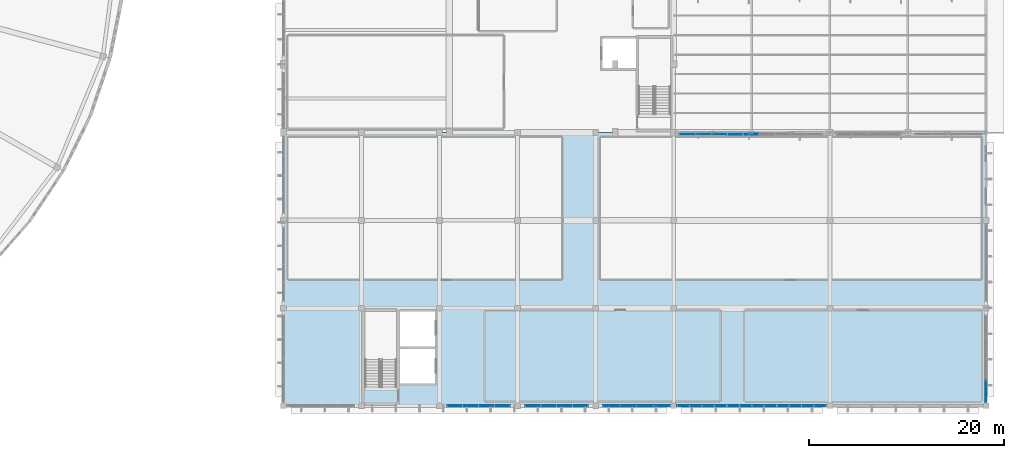
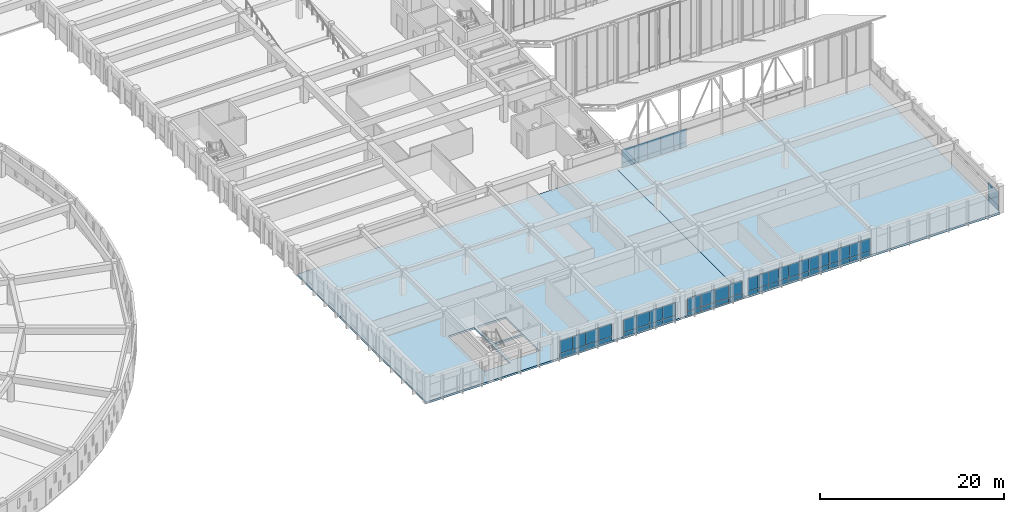
# One storey, part 77 of 155: 60 plates, 2 slabs, 9 elements without a shape of their own.
"""IFC4 building model written with IfcOpenShell, lengths in metres."""

from ifc_helpers import new_model, si_unit, direction, frame, origin, origin_2d, place, context, subcontext, project, spatial, polyline, rectangle, outline, extrude, material, layer, layer_set, type_object, element, aggregate, save


model = new_model("IFC4")

# Units and contexts
model_context = context("Model", 3, precision=1e-05, world=origin(), true_north=direction((0.0, 1.0)))
body_context = subcontext(model_context, "Body", "Model", "MODEL_VIEW")
ifc_project = project(units=[si_unit("LENGTHUNIT", "METRE"), si_unit("AREAUNIT", "SQUARE_METRE"), si_unit("VOLUMEUNIT", "CUBIC_METRE"), si_unit("PLANEANGLEUNIT", "RADIAN"), si_unit("MASSUNIT", "GRAM", prefix="KILO")], contexts=[model_context])

# Site, building, storey
site_placement = place(None, origin())
site = spatial("IfcSite", under=ifc_project, at=site_placement, CompositionType="ELEMENT")
building_placement = place(site_placement, origin())
building = spatial("IfcBuilding", under=site, at=building_placement, Name="Larkveld Mobility Hub", CompositionType="ELEMENT")
storey_placement = place(building_placement, frame((0.0, 0.0, 8.39990234375)))
storey = spatial("IfcBuildingStorey", under=building, at=storey_placement, Name="L02", CompositionType="ELEMENT", Elevation=8.39990234375)

# Curtain wall, plates
ifc_material_1 = material(Name="Anodised aluminium 6063-T6", Category="aluminium")
curtain_wall_type_1 = type_object("IfcCurtainWallType", Name="CW-SYS-10", PredefinedType="NOTDEFINED", material=ifc_material_1)
curtain_wall_1_placement = place(storey_placement, origin())
curtain_wall_1 = element("IfcCurtainWall", 1, at=curtain_wall_1_placement, inside=storey, type_object=curtain_wall_type_1, Name="Sawtooth South-Light Clerestory B1 CW-010", PredefinedType="NOTDEFINED")
ifc_material_2 = material(Name="Low-E laminated solar-control double glazing", Category="glass")
ifc_layer_1 = layer(ifc_material_2, 0.028076171875, Name="Low-E laminated solar-control double glazing", Category="glass")
ifc_layer_set_1 = layer_set([ifc_layer_1], Name="Low-E laminated solar-control double glazing")
plate_type_1 = type_object("IfcPlateType", Name="CW-PNL-GL01", PredefinedType="CURTAIN_PANEL", material=ifc_layer_set_1)
plate_1_placement = place(storey_placement, frame((158.298095703125, 27.844970703125, 0.60205078125), z_axis=(0.0, 0.0, 1.0), x_axis=(1.0, 0.0, 0.0)))
plate_1 = element("IfcPlate", 2, at=plate_1_placement, type_object=plate_type_1, Name="CW10 panel 1", PredefinedType="CURTAIN_PANEL", context=body_context, shape_type="SweptSolid", body=[
    extrude(rectangle(XDim=1.60107421875, YDim=0.028076171875, at=origin_2d()), origin(), (0.0, 0.0, 1.0), 1.77587890625),
])
plate_2_placement = place(storey_placement, frame((159.9189453125, 27.844970703125, 0.60205078125), z_axis=(0.0, 0.0, 1.0), x_axis=(1.0, 0.0, 0.0)))
plate_2 = element("IfcPlate", 3, at=plate_2_placement, type_object=plate_type_1, Name="CW10 panel 2", PredefinedType="CURTAIN_PANEL", context=body_context, shape_type="SweptSolid", body=[
    extrude(rectangle(XDim=1.62109375, YDim=0.028076171875, at=origin_2d()), origin(), (0.0, 0.0, 1.0), 1.77587890625),
])

curtain_wall_type_2 = type_object("IfcCurtainWallType", Name="CW-SYS-07", PredefinedType="NOTDEFINED", material=ifc_material_1)
curtain_wall_2_placement = place(storey_placement, origin())
curtain_wall_2 = element("IfcCurtainWall", 4, at=curtain_wall_2_placement, inside=storey, type_object=curtain_wall_type_2, Name="Service Centre South Curtain Wall L02 CW-103", PredefinedType="NOTDEFINED")
plate_3_placement = place(storey_placement, frame((137.56494140625, 0.0, 0.57763671875), z_axis=(0.0, 0.0, 1.0), x_axis=(1.0, 0.0, 0.0)))
plate_3 = element("IfcPlate", 5, at=plate_3_placement, type_object=plate_type_1, Name="CW07 panel 1", PredefinedType="CURTAIN_PANEL", context=body_context, shape_type="SweptSolid", body=[
    extrude(rectangle(XDim=1.60009765625, YDim=0.028076171875, at=origin_2d()), origin(), (0.0, 0.0, 1.0), 1.700927734375),
])
plate_4_placement = place(storey_placement, frame((139.18505859375, 0.0, 0.57763671875), z_axis=(0.0, 0.0, 1.0), x_axis=(1.0, 0.0, 0.0)))
plate_4 = element("IfcPlate", 6, at=plate_4_placement, type_object=plate_type_1, Name="CW07 panel 2", PredefinedType="CURTAIN_PANEL", context=body_context, shape_type="SweptSolid", body=[
    extrude(rectangle(XDim=1.6201171875, YDim=0.028076171875, at=origin_2d()), origin(), (0.0, 0.0, 1.0), 1.700927734375),
])
plate_5_placement = place(storey_placement, frame((140.81494140625, 0.0, 0.57763671875), z_axis=(0.0, 0.0, 1.0), x_axis=(1.0, 0.0, 0.0)))
plate_5 = element("IfcPlate", 7, at=plate_5_placement, type_object=plate_type_1, Name="CW07 panel 3", PredefinedType="CURTAIN_PANEL", context=body_context, shape_type="SweptSolid", body=[
    extrude(rectangle(XDim=1.6201171875, YDim=0.028076171875, at=origin_2d()), origin(), (0.0, 0.0, 1.0), 1.700927734375),
])
plate_6_placement = place(storey_placement, frame((142.43505859375, 0.0, 0.57763671875), z_axis=(0.0, 0.0, 1.0), x_axis=(1.0, 0.0, 0.0)))
plate_6 = element("IfcPlate", 8, at=plate_6_placement, type_object=plate_type_1, Name="CW07 panel 4", PredefinedType="CURTAIN_PANEL", context=body_context, shape_type="SweptSolid", body=[
    extrude(rectangle(XDim=1.60009765625, YDim=0.028076171875, at=origin_2d()), origin(), (0.0, 0.0, 1.0), 1.700927734375),
])

curtain_wall_3_placement = place(storey_placement, origin())
curtain_wall_3 = element("IfcCurtainWall", 9, at=curtain_wall_3_placement, inside=storey, type_object=curtain_wall_type_1, Name="Service Wing South Glazing L02 CW-106", PredefinedType="NOTDEFINED")
plate_7_placement = place(storey_placement, frame((158.097900390625, 0.0, 0.57763671875), z_axis=(0.0, 0.0, 1.0), x_axis=(1.0, 0.0, 0.0)))
plate_7 = element("IfcPlate", 10, at=plate_7_placement, type_object=plate_type_1, Name="CW10 panel 1", PredefinedType="CURTAIN_PANEL", context=body_context, shape_type="SweptSolid", body=[
    extrude(rectangle(XDim=1.2451171875, YDim=0.028076171875, at=origin_2d()), origin(), (0.0, 0.0, 1.0), 1.700927734375),
])
plate_8_placement = place(storey_placement, frame((159.363037109375, 0.0, 0.57763671875), z_axis=(0.0, 0.0, 1.0), x_axis=(1.0, 0.0, 0.0)))
plate_8 = element("IfcPlate", 11, at=plate_8_placement, type_object=plate_type_1, Name="CW10 panel 2", PredefinedType="CURTAIN_PANEL", context=body_context, shape_type="SweptSolid", body=[
    extrude(rectangle(XDim=1.264892578125, YDim=0.028076171875, at=origin_2d()), origin(), (0.0, 0.0, 1.0), 1.700927734375),
])
plate_9_placement = place(storey_placement, frame((160.636962890625, 0.0, 0.57763671875), z_axis=(0.0, 0.0, 1.0), x_axis=(1.0, 0.0, 0.0)))
plate_9 = element("IfcPlate", 12, at=plate_9_placement, type_object=plate_type_1, Name="CW10 panel 3", PredefinedType="CURTAIN_PANEL", context=body_context, shape_type="SweptSolid", body=[
    extrude(rectangle(XDim=1.264892578125, YDim=0.028076171875, at=origin_2d()), origin(), (0.0, 0.0, 1.0), 1.700927734375),
])
plate_10_placement = place(storey_placement, frame((161.902099609375, 0.0, 0.57763671875), z_axis=(0.0, 0.0, 1.0), x_axis=(1.0, 0.0, 0.0)))
plate_10 = element("IfcPlate", 13, at=plate_10_placement, type_object=plate_type_1, Name="CW10 panel 4", PredefinedType="CURTAIN_PANEL", context=body_context, shape_type="SweptSolid", body=[
    extrude(rectangle(XDim=1.2451171875, YDim=0.028076171875, at=origin_2d()), origin(), (0.0, 0.0, 1.0), 1.700927734375),
])

curtain_wall_type_3 = type_object("IfcCurtainWallType", Name="CW-SYS-08", PredefinedType="NOTDEFINED", material=ifc_material_1)
curtain_wall_4_placement = place(storey_placement, origin())
curtain_wall_4 = element("IfcCurtainWall", 14, at=curtain_wall_4_placement, inside=storey, type_object=curtain_wall_type_3, Name="Service Centre South Curtain Wall L02 CW-104", PredefinedType="NOTDEFINED")
ifc_material_3 = material(Name="Acoustic solar-control laminated double glazing", Category="glass")
ifc_layer_2 = layer(ifc_material_3, 0.031982421875, Name="Acoustic solar-control laminated double glazing", Category="glass")
ifc_layer_set_2 = layer_set([ifc_layer_2], Name="Acoustic solar-control laminated double glazing")
plate_type_2 = type_object("IfcPlateType", Name="CW-PNL-GL02", PredefinedType="CURTAIN_PANEL", material=ifc_layer_set_2)
plate_11_placement = place(storey_placement, frame((145.614013671875, 0.0, 0.57763671875), z_axis=(0.0, 0.0, 1.0), x_axis=(1.0, 0.0, 0.0)))
plate_11 = element("IfcPlate", 15, at=plate_11_placement, type_object=plate_type_2, Name="CW08 panel 1", PredefinedType="CURTAIN_PANEL", context=body_context, shape_type="SweptSolid", body=[
    extrude(rectangle(XDim=1.697998046875, YDim=0.031982421875, at=origin_2d()), origin(), (0.0, 0.0, 1.0), 1.700927734375),
])
plate_12_placement = place(storey_placement, frame((147.33203125, 0.0, 0.57763671875), z_axis=(0.0, 0.0, 1.0), x_axis=(1.0, 0.0, 0.0)))
plate_12 = element("IfcPlate", 16, at=plate_12_placement, type_object=plate_type_2, Name="CW08 panel 2", PredefinedType="CURTAIN_PANEL", context=body_context, shape_type="SweptSolid", body=[
    extrude(rectangle(XDim=1.718017578125, YDim=0.031982421875, at=origin_2d()), origin(), (0.0, 0.0, 1.0), 1.700927734375),
])
plate_13_placement = place(storey_placement, frame((149.05908203125, 0.0, 0.57763671875), z_axis=(0.0, 0.0, 1.0), x_axis=(1.0, 0.0, 0.0)))
plate_13 = element("IfcPlate", 17, at=plate_13_placement, type_object=plate_type_2, Name="CW08 panel 3", PredefinedType="CURTAIN_PANEL", context=body_context, shape_type="SweptSolid", body=[
    extrude(rectangle(XDim=1.718017578125, YDim=0.031982421875, at=origin_2d()), origin(), (0.0, 0.0, 1.0), 1.700927734375),
])
plate_14_placement = place(storey_placement, frame((150.77587890625, 0.0, 0.57763671875), z_axis=(0.0, 0.0, 1.0), x_axis=(1.0, 0.0, 0.0)))
plate_14 = element("IfcPlate", 18, at=plate_14_placement, type_object=plate_type_2, Name="CW08 panel 4", PredefinedType="CURTAIN_PANEL", context=body_context, shape_type="SweptSolid", body=[
    extrude(rectangle(XDim=1.697998046875, YDim=0.031982421875, at=origin_2d()), origin(), (0.0, 0.0, 1.0), 1.700927734375),
])

curtain_wall_type_4 = type_object("IfcCurtainWallType", Name="CW-SYS-11", PredefinedType="NOTDEFINED", material=ifc_material_1)
curtain_wall_5_placement = place(storey_placement, origin())
curtain_wall_5 = element("IfcCurtainWall", 19, at=curtain_wall_5_placement, inside=storey, type_object=curtain_wall_type_4, Name="Service Wing South Glazing L02 CW-107", PredefinedType="NOTDEFINED")
plate_15_placement = place(storey_placement, frame((163.197021484375, 0.0, 0.57763671875), z_axis=(0.0, 0.0, 1.0), x_axis=(1.0, 0.0, 0.0)))
plate_15 = element("IfcPlate", 20, at=plate_15_placement, type_object=plate_type_2, Name="CW11 panel 1", PredefinedType="CURTAIN_PANEL", context=body_context, shape_type="SweptSolid", body=[
    extrude(rectangle(XDim=1.2451171875, YDim=0.031982421875, at=origin_2d()), origin(), (0.0, 0.0, 1.0), 1.700927734375),
])
plate_16_placement = place(storey_placement, frame((164.462890625, 0.0, 0.57763671875), z_axis=(0.0, 0.0, 1.0), x_axis=(1.0, 0.0, 0.0)))
plate_16 = element("IfcPlate", 21, at=plate_16_placement, type_object=plate_type_2, Name="CW11 panel 2", PredefinedType="CURTAIN_PANEL", context=body_context, shape_type="SweptSolid", body=[
    extrude(rectangle(XDim=1.264892578125, YDim=0.031982421875, at=origin_2d()), origin(), (0.0, 0.0, 1.0), 1.700927734375),
])
plate_17_placement = place(storey_placement, frame((165.738037109375, 0.0, 0.57763671875), z_axis=(0.0, 0.0, 1.0), x_axis=(1.0, 0.0, 0.0)))
plate_17 = element("IfcPlate", 22, at=plate_17_placement, type_object=plate_type_2, Name="CW11 panel 3", PredefinedType="CURTAIN_PANEL", context=body_context, shape_type="SweptSolid", body=[
    extrude(rectangle(XDim=1.264892578125, YDim=0.031982421875, at=origin_2d()), origin(), (0.0, 0.0, 1.0), 1.700927734375),
])
plate_18_placement = place(storey_placement, frame((167.001953125, 0.0, 0.57763671875), z_axis=(0.0, 0.0, 1.0), x_axis=(1.0, 0.0, 0.0)))
plate_18 = element("IfcPlate", 23, at=plate_18_placement, type_object=plate_type_2, Name="CW11 panel 4", PredefinedType="CURTAIN_PANEL", context=body_context, shape_type="SweptSolid", body=[
    extrude(rectangle(XDim=1.2451171875, YDim=0.031982421875, at=origin_2d()), origin(), (0.0, 0.0, 1.0), 1.700927734375),
])

curtain_wall_type_5 = type_object("IfcCurtainWallType", Name="CW-SYS-09", PredefinedType="NOTDEFINED", material=ifc_material_1)
curtain_wall_6_placement = place(storey_placement, origin())
curtain_wall_6 = element("IfcCurtainWall", 24, at=curtain_wall_6_placement, inside=storey, type_object=curtain_wall_type_5, Name="Sawtooth South-Light Clerestory B1 CW-009", PredefinedType="NOTDEFINED")
ifc_material_4 = material(Name="Tinted safety double glazing", Category="glass")
ifc_layer_3 = layer(ifc_material_4, 0.035888671875, Name="Tinted safety double glazing", Category="glass")
ifc_layer_set_3 = layer_set([ifc_layer_3], Name="Tinted safety double glazing")
plate_type_3 = type_object("IfcPlateType", Name="CW-PNL-GL03", PredefinedType="CURTAIN_PANEL", material=ifc_layer_set_3)
plate_19_placement = place(storey_placement, frame((153.406005859375, 27.844970703125, 0.60205078125), z_axis=(0.0, 0.0, 1.0), x_axis=(1.0, 0.0, 0.0)))
plate_19 = element("IfcPlate", 25, at=plate_19_placement, type_object=plate_type_3, Name="CW09 panel 1", PredefinedType="CURTAIN_PANEL", context=body_context, shape_type="SweptSolid", body=[
    extrude(rectangle(XDim=1.60107421875, YDim=0.035888671875, at=origin_2d()), origin(), (0.0, 0.0, 1.0), 1.77587890625),
])
plate_20_placement = place(storey_placement, frame((155.02587890625, 27.844970703125, 0.60205078125), z_axis=(0.0, 0.0, 1.0), x_axis=(1.0, 0.0, 0.0)))
plate_20 = element("IfcPlate", 26, at=plate_20_placement, type_object=plate_type_3, Name="CW09 panel 2", PredefinedType="CURTAIN_PANEL", context=body_context, shape_type="SweptSolid", body=[
    extrude(rectangle(XDim=1.62109375, YDim=0.035888671875, at=origin_2d()), origin(), (0.0, 0.0, 1.0), 1.77587890625),
])
plate_21_placement = place(storey_placement, frame((156.64697265625, 27.844970703125, 0.60205078125), z_axis=(0.0, 0.0, 1.0), x_axis=(1.0, 0.0, 0.0)))
plate_21 = element("IfcPlate", 27, at=plate_21_placement, type_object=plate_type_3, Name="CW09 panel 3", PredefinedType="CURTAIN_PANEL", context=body_context, shape_type="SweptSolid", body=[
    extrude(rectangle(XDim=1.60107421875, YDim=0.035888671875, at=origin_2d()), origin(), (0.0, 0.0, 1.0), 1.77587890625),
])

curtain_wall_type_6 = type_object("IfcCurtainWallType", Name="CW-SYS-06", PredefinedType="NOTDEFINED", material=ifc_material_1)
curtain_wall_7_placement = place(storey_placement, origin())
curtain_wall_7 = element("IfcCurtainWall", 28, at=curtain_wall_7_placement, inside=storey, type_object=curtain_wall_type_6, Name="Service Centre South Curtain Wall L02 CW-102", PredefinedType="NOTDEFINED")
plate_22_placement = place(storey_placement, frame((129.56494140625, 0.0, 0.57763671875), z_axis=(0.0, 0.0, 1.0), x_axis=(1.0, 0.0, 0.0)))
plate_22 = element("IfcPlate", 29, at=plate_22_placement, type_object=plate_type_3, Name="CW06 panel 1", PredefinedType="CURTAIN_PANEL", context=body_context, shape_type="SweptSolid", body=[
    extrude(rectangle(XDim=1.60009765625, YDim=0.035888671875, at=origin_2d()), origin(), (0.0, 0.0, 1.0), 1.700927734375),
])
plate_23_placement = place(storey_placement, frame((131.18505859375, 0.0, 0.57763671875), z_axis=(0.0, 0.0, 1.0), x_axis=(1.0, 0.0, 0.0)))
plate_23 = element("IfcPlate", 30, at=plate_23_placement, type_object=plate_type_3, Name="CW06 panel 2", PredefinedType="CURTAIN_PANEL", context=body_context, shape_type="SweptSolid", body=[
    extrude(rectangle(XDim=1.6201171875, YDim=0.035888671875, at=origin_2d()), origin(), (0.0, 0.0, 1.0), 1.700927734375),
])
plate_24_placement = place(storey_placement, frame((132.81494140625, 0.0, 0.57763671875), z_axis=(0.0, 0.0, 1.0), x_axis=(1.0, 0.0, 0.0)))
plate_24 = element("IfcPlate", 31, at=plate_24_placement, type_object=plate_type_3, Name="CW06 panel 3", PredefinedType="CURTAIN_PANEL", context=body_context, shape_type="SweptSolid", body=[
    extrude(rectangle(XDim=1.6201171875, YDim=0.035888671875, at=origin_2d()), origin(), (0.0, 0.0, 1.0), 1.700927734375),
])
plate_25_placement = place(storey_placement, frame((134.43505859375, 0.0, 0.57763671875), z_axis=(0.0, 0.0, 1.0), x_axis=(1.0, 0.0, 0.0)))
plate_25 = element("IfcPlate", 32, at=plate_25_placement, type_object=plate_type_3, Name="CW06 panel 4", PredefinedType="CURTAIN_PANEL", context=body_context, shape_type="SweptSolid", body=[
    extrude(rectangle(XDim=1.60009765625, YDim=0.035888671875, at=origin_2d()), origin(), (0.0, 0.0, 1.0), 1.700927734375),
])

curtain_wall_8_placement = place(storey_placement, origin())
curtain_wall_8 = element("IfcCurtainWall", 33, at=curtain_wall_8_placement, inside=storey, type_object=curtain_wall_type_5, Name="Service Wing South Glazing L02 CW-105", PredefinedType="NOTDEFINED")
plate_26_placement = place(storey_placement, frame((152.998046875, 0.0, 0.57763671875), z_axis=(0.0, 0.0, 1.0), x_axis=(1.0, 0.0, 0.0)))
plate_26 = element("IfcPlate", 34, at=plate_26_placement, type_object=plate_type_3, Name="CW09 panel 1", PredefinedType="CURTAIN_PANEL", context=body_context, shape_type="SweptSolid", body=[
    extrude(rectangle(XDim=1.2451171875, YDim=0.035888671875, at=origin_2d()), origin(), (0.0, 0.0, 1.0), 1.700927734375),
])
plate_27_placement = place(storey_placement, frame((154.261962890625, 0.0, 0.57763671875), z_axis=(0.0, 0.0, 1.0), x_axis=(1.0, 0.0, 0.0)))
plate_27 = element("IfcPlate", 35, at=plate_27_placement, type_object=plate_type_3, Name="CW09 panel 2", PredefinedType="CURTAIN_PANEL", context=body_context, shape_type="SweptSolid", body=[
    extrude(rectangle(XDim=1.264892578125, YDim=0.035888671875, at=origin_2d()), origin(), (0.0, 0.0, 1.0), 1.700927734375),
])
plate_28_placement = place(storey_placement, frame((155.537109375, 0.0, 0.57763671875), z_axis=(0.0, 0.0, 1.0), x_axis=(1.0, 0.0, 0.0)))
plate_28 = element("IfcPlate", 36, at=plate_28_placement, type_object=plate_type_3, Name="CW09 panel 3", PredefinedType="CURTAIN_PANEL", context=body_context, shape_type="SweptSolid", body=[
    extrude(rectangle(XDim=1.264892578125, YDim=0.035888671875, at=origin_2d()), origin(), (0.0, 0.0, 1.0), 1.700927734375),
])
plate_29_placement = place(storey_placement, frame((156.802978515625, 0.0, 0.57763671875), z_axis=(0.0, 0.0, 1.0), x_axis=(1.0, 0.0, 0.0)))
plate_29 = element("IfcPlate", 37, at=plate_29_placement, type_object=plate_type_3, Name="CW09 panel 4", PredefinedType="CURTAIN_PANEL", context=body_context, shape_type="SweptSolid", body=[
    extrude(rectangle(XDim=1.2451171875, YDim=0.035888671875, at=origin_2d()), origin(), (0.0, 0.0, 1.0), 1.700927734375),
])

# Curtain wall, plate
curtain_wall_type_7 = type_object("IfcCurtainWallType", Name="CW-SYS-12", PredefinedType="NOTDEFINED", material=ifc_material_1)
curtain_wall_9_placement = place(storey_placement, origin())
curtain_wall_9 = element("IfcCurtainWall", 38, at=curtain_wall_9_placement, inside=storey, type_object=curtain_wall_type_7, Name="Service Wing East Curtain Wall L02 CW-108", PredefinedType="NOTDEFINED")
plate_30_placement = place(storey_placement, frame((184.0, 1.47412109375, 0.614013671875), z_axis=(0.0, 0.0, 1.0), x_axis=(0.0, 1.0, 0.0)))
plate_30 = element("IfcPlate", 39, at=plate_30_placement, type_object=plate_type_3, Name="CW12 panel 1", PredefinedType="CURTAIN_PANEL", context=body_context, shape_type="SweptSolid", body=[
    extrude(rectangle(XDim=2.197021484375, YDim=0.035888671875, at=origin_2d()), origin(), (0.0, 0.0, 1.0), 1.81396484375),
])

# Plate
ifc_material_5 = material(Name="Insulated fluoropolymer aluminium spandrel", Category="aluminium")
ifc_layer_4 = layer(ifc_material_5, 0.06494140625, Name="Insulated fluoropolymer aluminium spandrel", Category="aluminium")
ifc_layer_set_4 = layer_set([ifc_layer_4], Name="Insulated fluoropolymer aluminium spandrel")
plate_type_4 = type_object("IfcPlateType", Name="CW-PNL-SP01", PredefinedType="CURTAIN_PANEL", material=ifc_layer_set_4)
plate_31_placement = place(storey_placement, frame((153.406005859375, 27.844970703125, 0.0), z_axis=(0.0, 0.0, 1.0), x_axis=(1.0, 0.0, 0.0)))
plate_31 = element("IfcPlate", 40, at=plate_31_placement, type_object=plate_type_4, Name="CW09 spandrel 1", PredefinedType="CURTAIN_PANEL", context=body_context, shape_type="SweptSolid", body=[
    extrude(rectangle(XDim=1.60107421875, YDim=0.06494140625, at=origin_2d()), origin(), (0.0, 0.0, 1.0), 0.590087890625),
])

plate_32_placement = place(storey_placement, frame((155.02587890625, 27.844970703125, 0.0), z_axis=(0.0, 0.0, 1.0), x_axis=(1.0, 0.0, 0.0)))
plate_32 = element("IfcPlate", 41, at=plate_32_placement, type_object=plate_type_4, Name="CW09 spandrel 2", PredefinedType="CURTAIN_PANEL", context=body_context, shape_type="SweptSolid", body=[
    extrude(rectangle(XDim=1.62109375, YDim=0.06494140625, at=origin_2d()), origin(), (0.0, 0.0, 1.0), 0.590087890625),
])

plate_33_placement = place(storey_placement, frame((156.64697265625, 27.844970703125, 0.0), z_axis=(0.0, 0.0, 1.0), x_axis=(1.0, 0.0, 0.0)))
plate_33 = element("IfcPlate", 42, at=plate_33_placement, type_object=plate_type_4, Name="CW09 spandrel 3", PredefinedType="CURTAIN_PANEL", context=body_context, shape_type="SweptSolid", body=[
    extrude(rectangle(XDim=1.60107421875, YDim=0.06494140625, at=origin_2d()), origin(), (0.0, 0.0, 1.0), 0.590087890625),
])

aggregate(curtain_wall_6, [plate_31, plate_19, plate_32, plate_20, plate_33, plate_21])

plate_34_placement = place(storey_placement, frame((137.56494140625, 0.0, 0.000732421875), z_axis=(0.0, 0.0, 1.0), x_axis=(1.0, 0.0, 0.0)))
plate_34 = element("IfcPlate", 43, at=plate_34_placement, type_object=plate_type_4, Name="CW07 spandrel 1", PredefinedType="CURTAIN_PANEL", context=body_context, shape_type="SweptSolid", body=[
    extrude(rectangle(XDim=1.60009765625, YDim=0.06494140625, at=origin_2d()), origin(), (0.0, 0.0, 1.0), 0.56494140625),
])

plate_35_placement = place(storey_placement, frame((139.18505859375, 0.0, 0.000732421875), z_axis=(0.0, 0.0, 1.0), x_axis=(1.0, 0.0, 0.0)))
plate_35 = element("IfcPlate", 44, at=plate_35_placement, type_object=plate_type_4, Name="CW07 spandrel 2", PredefinedType="CURTAIN_PANEL", context=body_context, shape_type="SweptSolid", body=[
    extrude(rectangle(XDim=1.6201171875, YDim=0.06494140625, at=origin_2d()), origin(), (0.0, 0.0, 1.0), 0.56494140625),
])

plate_36_placement = place(storey_placement, frame((140.81494140625, 0.0, 0.000732421875), z_axis=(0.0, 0.0, 1.0), x_axis=(1.0, 0.0, 0.0)))
plate_36 = element("IfcPlate", 45, at=plate_36_placement, type_object=plate_type_4, Name="CW07 spandrel 3", PredefinedType="CURTAIN_PANEL", context=body_context, shape_type="SweptSolid", body=[
    extrude(rectangle(XDim=1.6201171875, YDim=0.06494140625, at=origin_2d()), origin(), (0.0, 0.0, 1.0), 0.56494140625),
])

plate_37_placement = place(storey_placement, frame((142.43505859375, 0.0, 0.000732421875), z_axis=(0.0, 0.0, 1.0), x_axis=(1.0, 0.0, 0.0)))
plate_37 = element("IfcPlate", 46, at=plate_37_placement, type_object=plate_type_4, Name="CW07 spandrel 4", PredefinedType="CURTAIN_PANEL", context=body_context, shape_type="SweptSolid", body=[
    extrude(rectangle(XDim=1.60009765625, YDim=0.06494140625, at=origin_2d()), origin(), (0.0, 0.0, 1.0), 0.56494140625),
])

aggregate(curtain_wall_2, [plate_34, plate_3, plate_35, plate_4, plate_36, plate_5, plate_37, plate_6])

plate_38_placement = place(storey_placement, frame((152.998046875, 0.0, 0.000732421875), z_axis=(0.0, 0.0, 1.0), x_axis=(1.0, 0.0, 0.0)))
plate_38 = element("IfcPlate", 47, at=plate_38_placement, type_object=plate_type_4, Name="CW09 spandrel 1", PredefinedType="CURTAIN_PANEL", context=body_context, shape_type="SweptSolid", body=[
    extrude(rectangle(XDim=1.2451171875, YDim=0.06494140625, at=origin_2d()), origin(), (0.0, 0.0, 1.0), 0.56494140625),
])

plate_39_placement = place(storey_placement, frame((154.261962890625, 0.0, 0.000732421875), z_axis=(0.0, 0.0, 1.0), x_axis=(1.0, 0.0, 0.0)))
plate_39 = element("IfcPlate", 48, at=plate_39_placement, type_object=plate_type_4, Name="CW09 spandrel 2", PredefinedType="CURTAIN_PANEL", context=body_context, shape_type="SweptSolid", body=[
    extrude(rectangle(XDim=1.264892578125, YDim=0.06494140625, at=origin_2d()), origin(), (0.0, 0.0, 1.0), 0.56494140625),
])

plate_40_placement = place(storey_placement, frame((155.537109375, 0.0, 0.000732421875), z_axis=(0.0, 0.0, 1.0), x_axis=(1.0, 0.0, 0.0)))
plate_40 = element("IfcPlate", 49, at=plate_40_placement, type_object=plate_type_4, Name="CW09 spandrel 3", PredefinedType="CURTAIN_PANEL", context=body_context, shape_type="SweptSolid", body=[
    extrude(rectangle(XDim=1.264892578125, YDim=0.06494140625, at=origin_2d()), origin(), (0.0, 0.0, 1.0), 0.56494140625),
])

plate_41_placement = place(storey_placement, frame((156.802978515625, 0.0, 0.000732421875), z_axis=(0.0, 0.0, 1.0), x_axis=(1.0, 0.0, 0.0)))
plate_41 = element("IfcPlate", 50, at=plate_41_placement, type_object=plate_type_4, Name="CW09 spandrel 4", PredefinedType="CURTAIN_PANEL", context=body_context, shape_type="SweptSolid", body=[
    extrude(rectangle(XDim=1.2451171875, YDim=0.06494140625, at=origin_2d()), origin(), (0.0, 0.0, 1.0), 0.56494140625),
])

aggregate(curtain_wall_8, [plate_38, plate_26, plate_39, plate_27, plate_40, plate_28, plate_41, plate_29])

plate_42_placement = place(storey_placement, frame((163.197021484375, 0.0, 0.000732421875), z_axis=(0.0, 0.0, 1.0), x_axis=(1.0, 0.0, 0.0)))
plate_42 = element("IfcPlate", 51, at=plate_42_placement, type_object=plate_type_4, Name="CW11 spandrel 1", PredefinedType="CURTAIN_PANEL", context=body_context, shape_type="SweptSolid", body=[
    extrude(rectangle(XDim=1.2451171875, YDim=0.06494140625, at=origin_2d()), origin(), (0.0, 0.0, 1.0), 0.56494140625),
])

plate_43_placement = place(storey_placement, frame((164.462890625, 0.0, 0.000732421875), z_axis=(0.0, 0.0, 1.0), x_axis=(1.0, 0.0, 0.0)))
plate_43 = element("IfcPlate", 52, at=plate_43_placement, type_object=plate_type_4, Name="CW11 spandrel 2", PredefinedType="CURTAIN_PANEL", context=body_context, shape_type="SweptSolid", body=[
    extrude(rectangle(XDim=1.264892578125, YDim=0.06494140625, at=origin_2d()), origin(), (0.0, 0.0, 1.0), 0.56494140625),
])

plate_44_placement = place(storey_placement, frame((165.738037109375, 0.0, 0.000732421875), z_axis=(0.0, 0.0, 1.0), x_axis=(1.0, 0.0, 0.0)))
plate_44 = element("IfcPlate", 53, at=plate_44_placement, type_object=plate_type_4, Name="CW11 spandrel 3", PredefinedType="CURTAIN_PANEL", context=body_context, shape_type="SweptSolid", body=[
    extrude(rectangle(XDim=1.264892578125, YDim=0.06494140625, at=origin_2d()), origin(), (0.0, 0.0, 1.0), 0.56494140625),
])

plate_45_placement = place(storey_placement, frame((167.001953125, 0.0, 0.000732421875), z_axis=(0.0, 0.0, 1.0), x_axis=(1.0, 0.0, 0.0)))
plate_45 = element("IfcPlate", 54, at=plate_45_placement, type_object=plate_type_4, Name="CW11 spandrel 4", PredefinedType="CURTAIN_PANEL", context=body_context, shape_type="SweptSolid", body=[
    extrude(rectangle(XDim=1.2451171875, YDim=0.06494140625, at=origin_2d()), origin(), (0.0, 0.0, 1.0), 0.56494140625),
])

aggregate(curtain_wall_5, [plate_42, plate_15, plate_43, plate_16, plate_44, plate_17, plate_45, plate_18])

ifc_material_6 = material(Name="Insulated terracotta-toned aluminium spandrel", Category="masonry")
ifc_layer_5 = layer(ifc_material_6, 0.080078125, Name="Insulated terracotta-toned aluminium spandrel", Category="masonry")
ifc_layer_set_5 = layer_set([ifc_layer_5], Name="Insulated terracotta-toned aluminium spandrel")
plate_type_5 = type_object("IfcPlateType", Name="CW-PNL-SP02", PredefinedType="CURTAIN_PANEL", material=ifc_layer_set_5)
plate_46_placement = place(storey_placement, frame((158.298095703125, 27.844970703125, 0.0), z_axis=(0.0, 0.0, 1.0), x_axis=(1.0, 0.0, 0.0)))
plate_46 = element("IfcPlate", 55, at=plate_46_placement, type_object=plate_type_5, Name="CW10 spandrel 1", PredefinedType="CURTAIN_PANEL", context=body_context, shape_type="SweptSolid", body=[
    extrude(rectangle(XDim=1.60107421875, YDim=0.080078125, at=origin_2d()), origin(), (0.0, 0.0, 1.0), 0.590087890625),
])

plate_47_placement = place(storey_placement, frame((159.9189453125, 27.844970703125, 0.0), z_axis=(0.0, 0.0, 1.0), x_axis=(1.0, 0.0, 0.0)))
plate_47 = element("IfcPlate", 56, at=plate_47_placement, type_object=plate_type_5, Name="CW10 spandrel 2", PredefinedType="CURTAIN_PANEL", context=body_context, shape_type="SweptSolid", body=[
    extrude(rectangle(XDim=1.62109375, YDim=0.080078125, at=origin_2d()), origin(), (0.0, 0.0, 1.0), 0.590087890625),
])

aggregate(curtain_wall_1, [plate_46, plate_1, plate_47, plate_2])

plate_48_placement = place(storey_placement, frame((129.56494140625, 0.0, 0.000732421875), z_axis=(0.0, 0.0, 1.0), x_axis=(1.0, 0.0, 0.0)))
plate_48 = element("IfcPlate", 57, at=plate_48_placement, type_object=plate_type_5, Name="CW06 spandrel 1", PredefinedType="CURTAIN_PANEL", context=body_context, shape_type="SweptSolid", body=[
    extrude(rectangle(XDim=1.60009765625, YDim=0.080078125, at=origin_2d()), origin(), (0.0, 0.0, 1.0), 0.56494140625),
])

plate_49_placement = place(storey_placement, frame((131.18505859375, 0.0, 0.000732421875), z_axis=(0.0, 0.0, 1.0), x_axis=(1.0, 0.0, 0.0)))
plate_49 = element("IfcPlate", 58, at=plate_49_placement, type_object=plate_type_5, Name="CW06 spandrel 2", PredefinedType="CURTAIN_PANEL", context=body_context, shape_type="SweptSolid", body=[
    extrude(rectangle(XDim=1.6201171875, YDim=0.080078125, at=origin_2d()), origin(), (0.0, 0.0, 1.0), 0.56494140625),
])

plate_50_placement = place(storey_placement, frame((132.81494140625, 0.0, 0.000732421875), z_axis=(0.0, 0.0, 1.0), x_axis=(1.0, 0.0, 0.0)))
plate_50 = element("IfcPlate", 59, at=plate_50_placement, type_object=plate_type_5, Name="CW06 spandrel 3", PredefinedType="CURTAIN_PANEL", context=body_context, shape_type="SweptSolid", body=[
    extrude(rectangle(XDim=1.6201171875, YDim=0.080078125, at=origin_2d()), origin(), (0.0, 0.0, 1.0), 0.56494140625),
])

plate_51_placement = place(storey_placement, frame((134.43505859375, 0.0, 0.000732421875), z_axis=(0.0, 0.0, 1.0), x_axis=(1.0, 0.0, 0.0)))
plate_51 = element("IfcPlate", 60, at=plate_51_placement, type_object=plate_type_5, Name="CW06 spandrel 4", PredefinedType="CURTAIN_PANEL", context=body_context, shape_type="SweptSolid", body=[
    extrude(rectangle(XDim=1.60009765625, YDim=0.080078125, at=origin_2d()), origin(), (0.0, 0.0, 1.0), 0.56494140625),
])

aggregate(curtain_wall_7, [plate_48, plate_22, plate_49, plate_23, plate_50, plate_24, plate_51, plate_25])

plate_52_placement = place(storey_placement, frame((145.614013671875, 0.0, 0.000732421875), z_axis=(0.0, 0.0, 1.0), x_axis=(1.0, 0.0, 0.0)))
plate_52 = element("IfcPlate", 61, at=plate_52_placement, type_object=plate_type_5, Name="CW08 spandrel 1", PredefinedType="CURTAIN_PANEL", context=body_context, shape_type="SweptSolid", body=[
    extrude(rectangle(XDim=1.697998046875, YDim=0.080078125, at=origin_2d()), origin(), (0.0, 0.0, 1.0), 0.56494140625),
])

plate_53_placement = place(storey_placement, frame((147.33203125, 0.0, 0.000732421875), z_axis=(0.0, 0.0, 1.0), x_axis=(1.0, 0.0, 0.0)))
plate_53 = element("IfcPlate", 62, at=plate_53_placement, type_object=plate_type_5, Name="CW08 spandrel 2", PredefinedType="CURTAIN_PANEL", context=body_context, shape_type="SweptSolid", body=[
    extrude(rectangle(XDim=1.718017578125, YDim=0.080078125, at=origin_2d()), origin(), (0.0, 0.0, 1.0), 0.56494140625),
])

plate_54_placement = place(storey_placement, frame((149.05908203125, 0.0, 0.000732421875), z_axis=(0.0, 0.0, 1.0), x_axis=(1.0, 0.0, 0.0)))
plate_54 = element("IfcPlate", 63, at=plate_54_placement, type_object=plate_type_5, Name="CW08 spandrel 3", PredefinedType="CURTAIN_PANEL", context=body_context, shape_type="SweptSolid", body=[
    extrude(rectangle(XDim=1.718017578125, YDim=0.080078125, at=origin_2d()), origin(), (0.0, 0.0, 1.0), 0.56494140625),
])

plate_55_placement = place(storey_placement, frame((150.77587890625, 0.0, 0.000732421875), z_axis=(0.0, 0.0, 1.0), x_axis=(1.0, 0.0, 0.0)))
plate_55 = element("IfcPlate", 64, at=plate_55_placement, type_object=plate_type_5, Name="CW08 spandrel 4", PredefinedType="CURTAIN_PANEL", context=body_context, shape_type="SweptSolid", body=[
    extrude(rectangle(XDim=1.697998046875, YDim=0.080078125, at=origin_2d()), origin(), (0.0, 0.0, 1.0), 0.56494140625),
])

aggregate(curtain_wall_4, [plate_52, plate_11, plate_53, plate_12, plate_54, plate_13, plate_55, plate_14])

plate_56_placement = place(storey_placement, frame((158.097900390625, 0.0, 0.000732421875), z_axis=(0.0, 0.0, 1.0), x_axis=(1.0, 0.0, 0.0)))
plate_56 = element("IfcPlate", 65, at=plate_56_placement, type_object=plate_type_5, Name="CW10 spandrel 1", PredefinedType="CURTAIN_PANEL", context=body_context, shape_type="SweptSolid", body=[
    extrude(rectangle(XDim=1.2451171875, YDim=0.080078125, at=origin_2d()), origin(), (0.0, 0.0, 1.0), 0.56494140625),
])

plate_57_placement = place(storey_placement, frame((159.363037109375, 0.0, 0.000732421875), z_axis=(0.0, 0.0, 1.0), x_axis=(1.0, 0.0, 0.0)))
plate_57 = element("IfcPlate", 66, at=plate_57_placement, type_object=plate_type_5, Name="CW10 spandrel 2", PredefinedType="CURTAIN_PANEL", context=body_context, shape_type="SweptSolid", body=[
    extrude(rectangle(XDim=1.264892578125, YDim=0.080078125, at=origin_2d()), origin(), (0.0, 0.0, 1.0), 0.56494140625),
])

plate_58_placement = place(storey_placement, frame((160.636962890625, 0.0, 0.000732421875), z_axis=(0.0, 0.0, 1.0), x_axis=(1.0, 0.0, 0.0)))
plate_58 = element("IfcPlate", 67, at=plate_58_placement, type_object=plate_type_5, Name="CW10 spandrel 3", PredefinedType="CURTAIN_PANEL", context=body_context, shape_type="SweptSolid", body=[
    extrude(rectangle(XDim=1.264892578125, YDim=0.080078125, at=origin_2d()), origin(), (0.0, 0.0, 1.0), 0.56494140625),
])

plate_59_placement = place(storey_placement, frame((161.902099609375, 0.0, 0.000732421875), z_axis=(0.0, 0.0, 1.0), x_axis=(1.0, 0.0, 0.0)))
plate_59 = element("IfcPlate", 68, at=plate_59_placement, type_object=plate_type_5, Name="CW10 spandrel 4", PredefinedType="CURTAIN_PANEL", context=body_context, shape_type="SweptSolid", body=[
    extrude(rectangle(XDim=1.2451171875, YDim=0.080078125, at=origin_2d()), origin(), (0.0, 0.0, 1.0), 0.56494140625),
])

aggregate(curtain_wall_3, [plate_56, plate_7, plate_57, plate_8, plate_58, plate_9, plate_59, plate_10])

plate_60_placement = place(storey_placement, frame((184.0, 1.47412109375, -0.00048828125), z_axis=(0.0, 0.0, 1.0), x_axis=(0.0, 1.0, 0.0)))
plate_60 = element("IfcPlate", 69, at=plate_60_placement, type_object=plate_type_5, Name="CW12 spandrel 1", PredefinedType="CURTAIN_PANEL", context=body_context, shape_type="SweptSolid", body=[
    extrude(rectangle(XDim=2.197021484375, YDim=0.080078125, at=origin_2d()), origin(), (0.0, 0.0, 1.0), 0.60302734375),
])

aggregate(curtain_wall_9, [plate_60, plate_30])

# Slabs
ifc_material_7 = material(Name="Concrete C40/50", Category="concrete")
ifc_layer_6 = layer(ifc_material_7, 0.25, Name="Concrete C40/50", Category="concrete")
ifc_layer_set_6 = layer_set([ifc_layer_6], Name="Concrete C40/50")
slab_type_1 = type_object("IfcSlabType", Name="SL-FLR-250", PredefinedType="FLOOR", material=ifc_layer_set_6)
slab_1_placement = place(storey_placement, frame((0.0, 0.0, -0.25)))
element("IfcSlab", 70, at=slab_1_placement, inside=storey, type_object=slab_type_1, Name="Service Centre Slab L02-123", PredefinedType="FLOOR", context=body_context, shape_type="SweptSolid", body=[
    extrude(outline(polyline([(112.0, 0.0), (152.0, 0.0), (152.0, 28.0), (112.0, 28.0), (112.0, 0.0)]), holes=[polyline([(120.35009765625, 1.89990234375), (120.35009765625, 9.64990234375), (123.60009765625, 9.64990234375), (123.60009765625, 1.89990234375), (120.35009765625, 1.89990234375)]), polyline([(123.93994140625, 6.06005859375), (123.93994140625, 9.64990234375), (127.5400390625, 9.64990234375), (127.5400390625, 6.06005859375), (123.93994140625, 6.06005859375)]), polyline([(123.93994140625, 2.300048828125), (123.93994140625, 5.840087890625), (127.5400390625, 5.840087890625), (127.5400390625, 2.300048828125), (123.93994140625, 2.300048828125)])]), origin(), (0.0, 0.0, 1.0), 0.25),
])
ifc_layer_7 = layer(ifc_material_7, 0.280029296875, Name="Concrete C40/50", Category="concrete")
ifc_layer_set_7 = layer_set([ifc_layer_7], Name="Concrete C40/50")
slab_type_2 = type_object("IfcSlabType", Name="SL-WKS-280", PredefinedType="FLOOR", material=ifc_layer_set_7)
slab_2_placement = place(storey_placement, frame((0.0, 0.0, -0.27978515625)))
element("IfcSlab", 71, at=slab_2_placement, inside=storey, type_object=slab_type_2, Name="Service Centre Slab L02-124", PredefinedType="FLOOR", context=body_context, shape_type="SweptSolid", body=[
    extrude(outline(polyline([(152.0, 0.0), (184.0, 0.0), (184.0, 28.0), (152.0, 28.0), (152.0, 0.0)])), origin(), (0.0, 0.0, 1.0), 0.27978515625),
])

save(model, "model.ifc")
